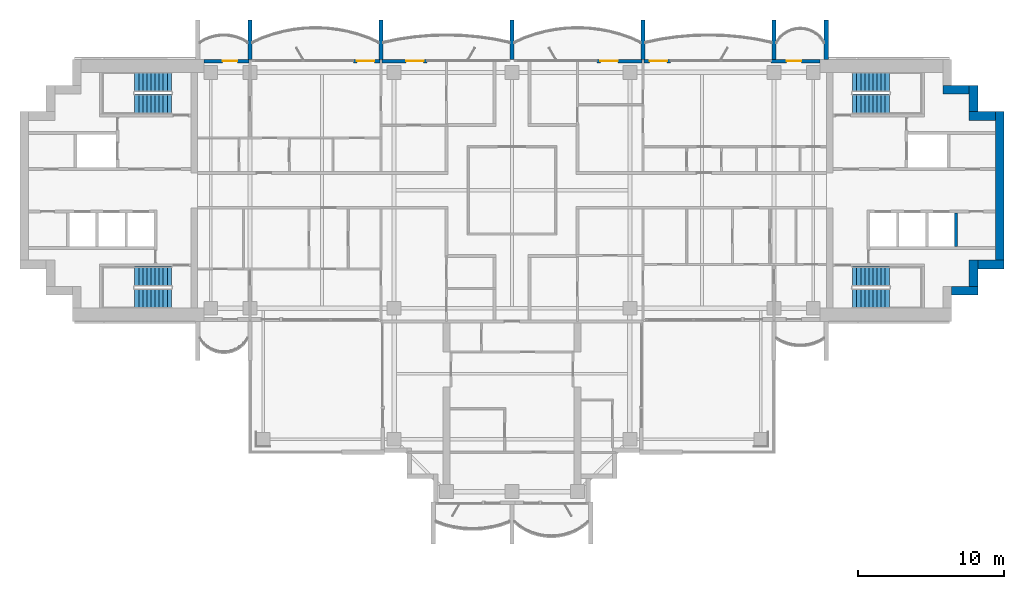
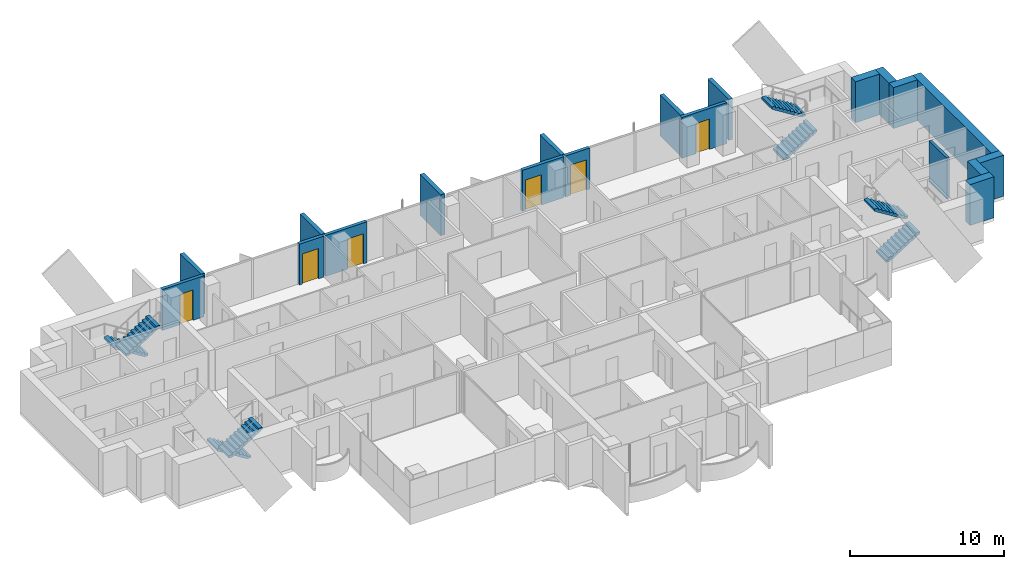
# One storey, part 13 of 17: 20 walls, 8 stair flights, 6 doors, 6 openings, 4 elements without a shape of their own.
"""IFC4 building model written with IfcOpenShell, lengths in metres."""

from ifc_helpers import new_model, si_unit, direction, frame, frame_2d, origin, place, context, subcontext, project, spatial, polyline, rectangle, outline, extrude, material, layer, layer_set, type_object, element, fill, aggregate, save


model = new_model("IFC4")

# Units and contexts
model_context = context("Model", 3, precision=1e-05, world=origin(), true_north=direction((0.0, 1.0)))
body_context = subcontext(model_context, "Body", "Model", "MODEL_VIEW")
ifc_project = project(units=[si_unit("LENGTHUNIT", "METRE"), si_unit("AREAUNIT", "SQUARE_METRE"), si_unit("VOLUMEUNIT", "CUBIC_METRE"), si_unit("PLANEANGLEUNIT", "RADIAN"), si_unit("MASSUNIT", "GRAM", prefix="KILO")], contexts=[model_context])

# Site, building, storey
site_placement = place(None, origin())
site = spatial("IfcSite", under=ifc_project, at=site_placement, CompositionType="ELEMENT")
building_placement = place(site_placement, origin())
building = spatial("IfcBuilding", under=site, at=building_placement, Name="Perihelion Cross Residences", CompositionType="ELEMENT")
storey_placement = place(building_placement, frame((0.0, 0.0, 208.60009765625)))
storey = spatial("IfcBuildingStorey", under=building, at=storey_placement, Name="L52", CompositionType="ELEMENT", Elevation=208.60009765625)

# Wall, opening, door
ifc_material_1 = material(Name="Concrete C30/37, bronze-clad", Category="concrete")
ifc_layer_1 = layer(ifc_material_1, 0.25)
ifc_layer_set_1 = layer_set([ifc_layer_1], Name="Bronze-clad pier wall 250")
wall_type_1 = type_object("IfcWallType", Name="Bronze-clad pier wall 250", PredefinedType="SOLIDWALL", material=ifc_layer_set_1)
wall_1_placement = place(storey_placement, frame((21.175048828125, 8.875, 0.0), z_axis=(0.0, 0.0, 1.0), x_axis=(-1.0, 0.0, 0.0)))
wall_1 = element("IfcWall", 1, at=wall_1_placement, inside=storey, type_object=wall_type_1, Name="Wall FW1 L52 east side north bay 1 pier", PredefinedType="SOLIDWALL", context=body_context, shape_type="SweptSolid", body=[
    extrude(rectangle(XDim=3.375, YDim=0.25, at=frame_2d((1.6875, 0.0))), origin(), (0.0, 0.0, 1.0), 3.25),
])
opening_1_placement = place(wall_1_placement, frame((1.300048828125, 0.0, 0.0)))
opening_1 = element("IfcOpeningElement", 2, at=opening_1_placement, cuts=wall_1, Name="Opening L52.E01", PredefinedType="OPENING", context=body_context, shape_type="SweptSolid", body=[
    extrude(rectangle(XDim=1.0, YDim=2.39990234375, at=frame_2d((0.5, 1.199951171875))), frame((0.0, 0.135009765625, 0.0), z_axis=(0.0, -1.0, 0.0), x_axis=(1.0, 0.0, 0.0)), (0.0, 0.0, 1.0), 0.27001953125),
])
ifc_material_2 = material(Name="Bronze anodised aluminium, glazed", Category="aluminium")
door_type_1 = type_object("IfcDoorType", Name="Balcony door 1000 x 2400", OperationType="NOTDEFINED", PredefinedType="DOOR", material=ifc_material_2)
door_1_placement = place(opening_1_placement, origin())
door_1 = element("IfcDoor", 3, at=door_1_placement, inside=storey, type_object=door_type_1, Name="Door L52.E01 east side north bay 1", OperationType="SINGLE_SWING_LEFT", OverallHeight=2.39990234375, OverallWidth=1.0, PredefinedType="DOOR", context=body_context, shape_type="SweptSolid", body=[
    extrude(rectangle(XDim=1.0, YDim=2.39990234375, at=frame_2d((0.5, 1.199951171875))), frame((0.0, 0.02490234375, 0.0), z_axis=(0.0, -1.0, 0.0), x_axis=(1.0, 0.0, 0.0)), (0.0, 0.0, 1.0), 0.050048828125),
])
fill(opening_1, door_1)

wall_2_placement = place(storey_placement, frame((10.89990234375, 8.875, 0.0), z_axis=(0.0, 0.0, 1.0), x_axis=(-1.0, 0.0, 0.0)))
wall_2 = element("IfcWall", 4, at=wall_2_placement, inside=storey, type_object=wall_type_1, Name="Wall FW1 L52 east side north bay 2 pier", PredefinedType="SOLIDWALL", context=body_context, shape_type="SweptSolid", body=[
    extrude(rectangle(XDim=1.83984375, YDim=0.25, at=frame_2d((0.919921875, 0.0))), origin(), (0.0, 0.0, 1.0), 3.25),
])
opening_2_placement = place(wall_2_placement, frame((0.25, 0.0, 0.0)))
opening_2 = element("IfcOpeningElement", 5, at=opening_2_placement, cuts=wall_2, Name="Opening L52.E02", PredefinedType="OPENING", context=body_context, shape_type="SweptSolid", body=[
    extrude(rectangle(XDim=1.199951171875, YDim=2.39990234375, at=frame_2d((0.60009765625, 1.199951171875))), frame((0.0, 0.135009765625, 0.0), z_axis=(0.0, -1.0, 0.0), x_axis=(1.0, 0.0, 0.0)), (0.0, 0.0, 1.0), 0.27001953125),
])
ifc_material_3 = material(Name="Bronze anodised aluminium, glazed", Category="aluminium")
door_type_2 = type_object("IfcDoorType", Name="Balcony door 1200 x 2400", OperationType="NOTDEFINED", PredefinedType="DOOR", material=ifc_material_3)
door_2_placement = place(opening_2_placement, origin())
door_2 = element("IfcDoor", 6, at=door_2_placement, inside=storey, type_object=door_type_2, Name="Door L52.E02 east side north bay 2", OperationType="SINGLE_SWING_RIGHT", OverallHeight=2.39990234375, OverallWidth=1.199951171875, PredefinedType="DOOR", context=body_context, shape_type="SweptSolid", body=[
    extrude(rectangle(XDim=1.199951171875, YDim=2.39990234375, at=frame_2d((0.60009765625, 1.199951171875))), frame((0.0, 0.02490234375, 0.0), z_axis=(0.0, -1.0, 0.0), x_axis=(1.0, 0.0, 0.0)), (0.0, 0.0, 1.0), 0.050048828125),
])
fill(opening_2, door_2)

wall_3_placement = place(storey_placement, frame((8.93994140625, 8.875, 0.0), z_axis=(0.0, 0.0, 1.0), x_axis=(-1.0, 0.0, 0.0)))
wall_3 = element("IfcWall", 7, at=wall_3_placement, inside=storey, type_object=wall_type_1, Name="Wall FW1 L52 north side east bay 1 pier", PredefinedType="SOLIDWALL", context=body_context, shape_type="SweptSolid", body=[
    extrude(rectangle(XDim=3.114990234375, YDim=0.25, at=frame_2d((1.5576171875, 0.0))), origin(), (0.0, 0.0, 1.0), 3.25),
])
opening_3_placement = place(wall_3_placement, frame((1.6650390625, 0.0, 0.0)))
opening_3 = element("IfcOpeningElement", 8, at=opening_3_placement, cuts=wall_3, Name="Opening L52.E03", PredefinedType="OPENING", context=body_context, shape_type="SweptSolid", body=[
    extrude(rectangle(XDim=1.199951171875, YDim=2.39990234375, at=frame_2d((0.60009765625, 1.199951171875))), frame((0.0, 0.135009765625, 0.0), z_axis=(0.0, -1.0, 0.0), x_axis=(1.0, 0.0, 0.0)), (0.0, 0.0, 1.0), 0.27001953125),
])
door_3_placement = place(opening_3_placement, origin())
door_3 = element("IfcDoor", 9, at=door_3_placement, inside=storey, type_object=door_type_2, Name="Door L52.E03 north side east bay 1", OperationType="SINGLE_SWING_LEFT", OverallHeight=2.39990234375, OverallWidth=1.199951171875, PredefinedType="DOOR", context=body_context, shape_type="SweptSolid", body=[
    extrude(rectangle(XDim=1.199951171875, YDim=2.39990234375, at=frame_2d((0.60009765625, 1.199951171875))), frame((0.0, 0.02490234375, 0.0), z_axis=(0.0, -1.0, 0.0), x_axis=(1.0, 0.0, 0.0)), (0.0, 0.0, 1.0), 0.050048828125),
])
fill(opening_3, door_3)

wall_4_placement = place(storey_placement, frame((-5.824951171875, 8.875, 0.0), z_axis=(0.0, 0.0, 1.0), x_axis=(-1.0, 0.0, 0.0)))
wall_4 = element("IfcWall", 10, at=wall_4_placement, inside=storey, type_object=wall_type_1, Name="Wall FW1 L52 north side east bay 2 pier", PredefinedType="SOLIDWALL", context=body_context, shape_type="SweptSolid", body=[
    extrude(rectangle(XDim=3.114990234375, YDim=0.25, at=frame_2d((1.5576171875, 0.0))), origin(), (0.0, 0.0, 1.0), 3.25),
])
opening_4_placement = place(wall_4_placement, frame((0.25, 0.0, 0.0)))
opening_4 = element("IfcOpeningElement", 11, at=opening_4_placement, cuts=wall_4, Name="Opening L52.E04", PredefinedType="OPENING", context=body_context, shape_type="SweptSolid", body=[
    extrude(rectangle(XDim=1.199951171875, YDim=2.39990234375, at=frame_2d((0.60009765625, 1.199951171875))), frame((0.0, 0.135009765625, 0.0), z_axis=(0.0, -1.0, 0.0), x_axis=(1.0, 0.0, 0.0)), (0.0, 0.0, 1.0), 0.27001953125),
])
door_4_placement = place(opening_4_placement, origin())
door_4 = element("IfcDoor", 12, at=door_4_placement, inside=storey, type_object=door_type_2, Name="Door L52.E04 north side east bay 2", OperationType="SINGLE_SWING_RIGHT", OverallHeight=2.39990234375, OverallWidth=1.199951171875, PredefinedType="DOOR", context=body_context, shape_type="SweptSolid", body=[
    extrude(rectangle(XDim=1.199951171875, YDim=2.39990234375, at=frame_2d((0.60009765625, 1.199951171875))), frame((0.0, 0.02490234375, 0.0), z_axis=(0.0, -1.0, 0.0), x_axis=(1.0, 0.0, 0.0)), (0.0, 0.0, 1.0), 0.050048828125),
])
fill(opening_4, door_4)

wall_5_placement = place(storey_placement, frame((-9.06005859375, 8.875, 0.0), z_axis=(0.0, 0.0, 1.0), x_axis=(-1.0, 0.0, 0.0)))
wall_5 = element("IfcWall", 13, at=wall_5_placement, inside=storey, type_object=wall_type_1, Name="Wall FW1 L52 west side north bay 1 pier", PredefinedType="SOLIDWALL", context=body_context, shape_type="SweptSolid", body=[
    extrude(rectangle(XDim=1.83984375, YDim=0.25, at=frame_2d((0.919921875, 0.0))), origin(), (0.0, 0.0, 1.0), 3.25),
])
opening_5_placement = place(wall_5_placement, frame((0.389892578125, 0.0, 0.0)))
opening_5 = element("IfcOpeningElement", 14, at=opening_5_placement, cuts=wall_5, Name="Opening L52.E05", PredefinedType="OPENING", context=body_context, shape_type="SweptSolid", body=[
    extrude(rectangle(XDim=1.199951171875, YDim=2.39990234375, at=frame_2d((0.60009765625, 1.199951171875))), frame((0.0, 0.135009765625, 0.0), z_axis=(0.0, -1.0, 0.0), x_axis=(1.0, 0.0, 0.0)), (0.0, 0.0, 1.0), 0.27001953125),
])
door_5_placement = place(opening_5_placement, origin())
door_5 = element("IfcDoor", 15, at=door_5_placement, inside=storey, type_object=door_type_2, Name="Door L52.E05 west side north bay 1", OperationType="SINGLE_SWING_LEFT", OverallHeight=2.39990234375, OverallWidth=1.199951171875, PredefinedType="DOOR", context=body_context, shape_type="SweptSolid", body=[
    extrude(rectangle(XDim=1.199951171875, YDim=2.39990234375, at=frame_2d((0.60009765625, 1.199951171875))), frame((0.0, 0.02490234375, 0.0), z_axis=(0.0, -1.0, 0.0), x_axis=(1.0, 0.0, 0.0)), (0.0, 0.0, 1.0), 0.050048828125),
])
fill(opening_5, door_5)

wall_6_placement = place(storey_placement, frame((-18.06005859375, 8.875, 0.0), z_axis=(0.0, 0.0, 1.0), x_axis=(-1.0, 0.0, 0.0)))
wall_6 = element("IfcWall", 16, at=wall_6_placement, inside=storey, type_object=wall_type_1, Name="Wall FW1 L52 west side north bay 2 pier", PredefinedType="SOLIDWALL", context=body_context, shape_type="SweptSolid", body=[
    extrude(rectangle(XDim=3.114990234375, YDim=0.25, at=frame_2d((1.5576171875, 0.0))), origin(), (0.0, 0.0, 1.0), 3.25),
])
opening_6_placement = place(wall_6_placement, frame((0.81494140625, 0.0, 0.0)))
opening_6 = element("IfcOpeningElement", 17, at=opening_6_placement, cuts=wall_6, Name="Opening L52.E06", PredefinedType="OPENING", context=body_context, shape_type="SweptSolid", body=[
    extrude(rectangle(XDim=1.0, YDim=2.39990234375, at=frame_2d((0.5, 1.199951171875))), frame((0.0, 0.135009765625, 0.0), z_axis=(0.0, -1.0, 0.0), x_axis=(1.0, 0.0, 0.0)), (0.0, 0.0, 1.0), 0.27001953125),
])
door_6_placement = place(opening_6_placement, origin())
door_6 = element("IfcDoor", 18, at=door_6_placement, inside=storey, type_object=door_type_1, Name="Door L52.E06 west side north bay 2", OperationType="SINGLE_SWING_RIGHT", OverallHeight=2.39990234375, OverallWidth=1.0, PredefinedType="DOOR", context=body_context, shape_type="SweptSolid", body=[
    extrude(rectangle(XDim=1.0, YDim=2.39990234375, at=frame_2d((0.5, 1.199951171875))), frame((0.0, 0.02490234375, 0.0), z_axis=(0.0, -1.0, 0.0), x_axis=(1.0, 0.0, 0.0)), (0.0, 0.0, 1.0), 0.050048828125),
])
fill(opening_6, door_6)

# Walls
ifc_material_4 = material(Name="Concrete C60/75", Category="concrete")
ifc_layer_2 = layer(ifc_material_4, 0.60009765625)
ifc_layer_set_2 = layer_set([ifc_layer_2], Name="Core wall, outer 600")
wall_type_2 = type_object("IfcWallType", Name="Core wall, outer 600", PredefinedType="SHEAR", material=ifc_layer_set_2)
for number, where, z_axis, x_axis, name in (
    (19, (30.199951171875, -6.89990234375, 0.0), (0.0, 0.0, 1.0), (1.0, 0.0, 0.0), "East core core wall, outer"),
    (20, (31.699951171875, -6.60009765625, 0.0), (0.0, 0.0, 1.0), (0.0, 1.0, 0.0), "East core core wall, outer"),
    (21, (32.0, -5.10009765625, 0.0), (0.0, 0.0, 1.0), (1.0, 0.0, 0.0), "East core core wall, outer"),
):
    element("IfcWall", number, at=place(storey_placement, frame(where, z_axis=z_axis, x_axis=x_axis)), inside=storey, type_object=wall_type_2, Name=name, PredefinedType="SHEAR", context=body_context, shape_type="SweptSolid", body=[
        extrude(rectangle(XDim=1.800048828125, YDim=0.60009765625, at=frame_2d((0.89990234375, 0.0))), origin(), (0.0, 0.0, 1.0), 3.25),
    ])
wall_7_placement = place(storey_placement, frame((33.5, -4.800048828125, 0.0), z_axis=(0.0, 0.0, 1.0), x_axis=(0.0, 1.0, 0.0)))
element("IfcWall", 22, at=wall_7_placement, inside=storey, type_object=wall_type_2, Name="East core core wall, outer", PredefinedType="SHEAR", context=body_context, shape_type="SweptSolid", body=[
    extrude(rectangle(XDim=10.199951171875, YDim=0.60009765625, at=frame_2d((5.10009765625, 0.0))), origin(), (0.0, 0.0, 1.0), 3.25),
])
for number, where, z_axis, x_axis, name in (
    (23, (31.39990234375, 5.10009765625, 0.0), (0.0, 0.0, 1.0), (1.0, 0.0, 0.0), "East core core wall, outer"),
    (24, (31.699951171875, 5.39990234375, 0.0), (0.0, 0.0, 1.0), (0.0, 1.0, 0.0), "East core core wall, outer"),
):
    element("IfcWall", number, at=place(storey_placement, frame(where, z_axis=z_axis, x_axis=x_axis)), inside=storey, type_object=wall_type_2, Name=name, PredefinedType="SHEAR", context=body_context, shape_type="SweptSolid", body=[
        extrude(rectangle(XDim=1.800048828125, YDim=0.60009765625, at=frame_2d((0.89990234375, 0.0))), origin(), (0.0, 0.0, 1.0), 3.25),
    ])
wall_8_placement = place(storey_placement, frame((29.60009765625, 6.89990234375, 0.0), z_axis=(0.0, 0.0, 1.0), x_axis=(1.0, 0.0, 0.0)))
element("IfcWall", 25, at=wall_8_placement, inside=storey, type_object=wall_type_2, Name="East core core wall, outer", PredefinedType="SHEAR", context=body_context, shape_type="SweptSolid", body=[
    extrude(rectangle(XDim=1.7998046875, YDim=0.60009765625, at=frame_2d((0.89990234375, 0.0))), origin(), (0.0, 0.0, 1.0), 3.25),
])
ifc_material_5 = material(Name="Precast concrete C50/60", Category="concrete")
ifc_layer_3 = layer(ifc_material_5, 0.300048828125)
ifc_layer_set_3 = layer_set([ifc_layer_3], Name="Precast concrete C50/60 blade wall 300")
wall_type_3 = type_object("IfcWallType", Name="Precast concrete C50/60 blade wall 300", PredefinedType="SOLIDWALL", material=ifc_layer_set_3)
for number, where, z_axis, x_axis, name in (
    (26, (-18.0, 9.0, 0.0), (0.0, 0.0, 1.0), (0.0, 1.0, 0.0), "Wall BL1 L52 no. 2"),
    (27, (-9.0, 9.0, 0.0), (0.0, 0.0, 1.0), (0.0, 1.0, 0.0), "Wall BL1 L52 no. 7"),
    (28, (0.0, 9.0, 0.0), (0.0, 0.0, 1.0), (0.0, 1.0, 0.0), "Wall BL1 L52 no. 9"),
    (29, (9.0, 9.0, 0.0), (0.0, 0.0, 1.0), (0.0, 1.0, 0.0), "Wall BL1 L52 no. 16"),
    (30, (18.0, 9.0, 0.0), (0.0, 0.0, 1.0), (0.0, 1.0, 0.0), "Wall BL1 L52 no. 11"),
    (31, (21.60009765625, 9.0, 0.0), (0.0, 0.0, 1.0), (0.0, 1.0, 0.0), "Wall BL1 L52 no. 13"),
):
    element("IfcWall", number, at=place(storey_placement, frame(where, z_axis=z_axis, x_axis=x_axis)), inside=storey, type_object=wall_type_3, Name=name, PredefinedType="SOLIDWALL", context=body_context, shape_type="SweptSolid", body=[
        extrude(rectangle(XDim=2.699951171875, YDim=0.300048828125, at=frame_2d((1.35009765625, 0.0))), origin(), (0.0, 0.0, 1.0), 3.25),
    ])
ifc_material_6 = material(Name="Concrete C50/60", Category="concrete")
ifc_layer_4 = layer(ifc_material_6, 0.199951171875)
ifc_layer_set_4 = layer_set([ifc_layer_4], Name="Shaft wall 200")
wall_type_4 = type_object("IfcWallType", Name="Shaft wall 200", PredefinedType="SOLIDWALL", material=ifc_layer_set_4)
wall_9_placement = place(storey_placement, frame((30.5, -3.85009765625, 0.0), z_axis=(0.0, 0.0, 1.0), x_axis=(0.0, 1.0, 0.0)))
element("IfcWall", 32, at=wall_9_placement, inside=storey, type_object=wall_type_4, Name="East core shaft wall", PredefinedType="SOLIDWALL", context=body_context, shape_type="SweptSolid", body=[
    extrude(rectangle(XDim=2.300048828125, YDim=0.199951171875, at=frame_2d((1.14990234375, 0.0))), origin(), (0.0, 0.0, 1.0), 3.25),
])

# Stair, stair flights
ifc_material_7 = material(Name="Concrete C40/50", Category="concrete")
stair_type = type_object("IfcStairType", Name="Exit stair, half-turn", PredefinedType="HALF_TURN_STAIR", material=ifc_material_7)
stair_1_placement = place(storey_placement, origin())
stair_1 = element("IfcStair", 33, at=stair_1_placement, inside=storey, type_object=stair_type, Name="L52 East core exit stair 1", PredefinedType="HALF_TURN_STAIR")
ifc_material_8 = material(Name="Concrete C40/50", Category="concrete")
stair_flight_type = type_object("IfcStairFlightType", Name="Exit stair flight", PredefinedType="STRAIGHT", material=ifc_material_8)
stair_flight_1_placement = place(storey_placement, frame((23.39990234375, 5.925048828125, 0.0), z_axis=(0.0, 0.0, 1.0), x_axis=(1.0, 0.0, 0.0)))
stair_flight_1 = element("IfcStairFlight", 34, at=stair_flight_1_placement, type_object=stair_flight_type, Name="ST-E1 flight 1", NumberOfRisers=10, NumberOfTreads=9, PredefinedType="STRAIGHT", RiserHeight=0.175, TreadLength=0.28, context=body_context, shape_type="SweptSolid", body=[
    extrude(outline(polyline([(0.0, 0.0), (0.0, 0.175048828125), (0.280029296875, 0.175048828125), (0.280029296875, 0.35009765625), (0.56005859375, 0.35009765625), (0.56005859375, 0.52490234375), (0.840087890625, 0.52490234375), (0.840087890625, 0.699951171875), (1.1201171875, 0.699951171875), (1.1201171875, 0.875), (1.39990234375, 0.875), (1.39990234375, 1.050048828125), (1.679931640625, 1.050048828125), (1.679931640625, 1.22509765625), (1.9599609375, 1.22509765625), (1.9599609375, 1.39990234375), (2.239990234375, 1.39990234375), (2.239990234375, 1.574951171875), (2.52001953125, 1.574951171875), (2.52001953125, 1.75), (2.52001953125, 1.398193359375), (0.28271484375, 0.0), (0.0, 0.0)])), frame((0.0, 0.675048828125, 0.0), z_axis=(0.0, -1.0, 0.0), x_axis=(1.0, 0.0, 0.0)), (0.0, 0.0, 1.0), 1.35009765625),
])
stair_flight_2_placement = place(storey_placement, frame((25.919921875, 7.425048828125, 1.75), z_axis=(0.0, 0.0, 1.0), x_axis=(-1.0, 0.0, 0.0)))
stair_flight_2 = element("IfcStairFlight", 35, at=stair_flight_2_placement, type_object=stair_flight_type, Name="ST-E1 flight 2", NumberOfRisers=10, NumberOfTreads=9, PredefinedType="STRAIGHT", RiserHeight=0.175, TreadLength=0.28, context=body_context, shape_type="SweptSolid", body=[
    extrude(outline(polyline([(0.0, 0.0), (0.0, 0.175048828125), (0.280029296875, 0.175048828125), (0.280029296875, 0.35009765625), (0.56005859375, 0.35009765625), (0.56005859375, 0.52490234375), (0.840087890625, 0.52490234375), (0.840087890625, 0.699951171875), (1.1201171875, 0.699951171875), (1.1201171875, 0.875), (1.39990234375, 0.875), (1.39990234375, 1.050048828125), (1.679931640625, 1.050048828125), (1.679931640625, 1.22509765625), (1.9599609375, 1.22509765625), (1.9599609375, 1.39990234375), (2.239990234375, 1.39990234375), (2.239990234375, 1.574951171875), (2.52001953125, 1.574951171875), (2.52001953125, 1.75), (2.52001953125, 1.398193359375), (0.28271484375, 0.0), (0.0, 0.0)])), frame((0.0, 0.675048828125, 0.0), z_axis=(0.0, -1.0, 0.0), x_axis=(1.0, 0.0, 0.0)), (0.0, 0.0, 1.0), 1.35009765625),
])
aggregate(stair_1, [stair_flight_1, stair_flight_2])

stair_2_placement = place(storey_placement, origin())
stair_2 = element("IfcStair", 36, at=stair_2_placement, inside=storey, type_object=stair_type, Name="L52 East core exit stair 2", PredefinedType="HALF_TURN_STAIR")
stair_flight_3_placement = place(storey_placement, frame((23.39990234375, -7.425048828125, 0.0), z_axis=(0.0, 0.0, 1.0), x_axis=(1.0, 0.0, 0.0)))
stair_flight_3 = element("IfcStairFlight", 37, at=stair_flight_3_placement, type_object=stair_flight_type, Name="ST-E2 flight 1", NumberOfRisers=10, NumberOfTreads=9, PredefinedType="STRAIGHT", RiserHeight=0.175, TreadLength=0.28, context=body_context, shape_type="SweptSolid", body=[
    extrude(outline(polyline([(0.0, 0.0), (0.0, 0.175048828125), (0.280029296875, 0.175048828125), (0.280029296875, 0.35009765625), (0.56005859375, 0.35009765625), (0.56005859375, 0.52490234375), (0.840087890625, 0.52490234375), (0.840087890625, 0.699951171875), (1.1201171875, 0.699951171875), (1.1201171875, 0.875), (1.39990234375, 0.875), (1.39990234375, 1.050048828125), (1.679931640625, 1.050048828125), (1.679931640625, 1.22509765625), (1.9599609375, 1.22509765625), (1.9599609375, 1.39990234375), (2.239990234375, 1.39990234375), (2.239990234375, 1.574951171875), (2.52001953125, 1.574951171875), (2.52001953125, 1.75), (2.52001953125, 1.398193359375), (0.28271484375, 0.0), (0.0, 0.0)])), frame((0.0, 0.675048828125, 0.0), z_axis=(0.0, -1.0, 0.0), x_axis=(1.0, 0.0, 0.0)), (0.0, 0.0, 1.0), 1.35009765625),
])
stair_flight_4_placement = place(storey_placement, frame((25.919921875, -5.925048828125, 1.75), z_axis=(0.0, 0.0, 1.0), x_axis=(-1.0, 0.0, 0.0)))
stair_flight_4 = element("IfcStairFlight", 38, at=stair_flight_4_placement, type_object=stair_flight_type, Name="ST-E2 flight 2", NumberOfRisers=10, NumberOfTreads=9, PredefinedType="STRAIGHT", RiserHeight=0.175, TreadLength=0.28, context=body_context, shape_type="SweptSolid", body=[
    extrude(outline(polyline([(0.0, 0.0), (0.0, 0.175048828125), (0.280029296875, 0.175048828125), (0.280029296875, 0.35009765625), (0.56005859375, 0.35009765625), (0.56005859375, 0.52490234375), (0.840087890625, 0.52490234375), (0.840087890625, 0.699951171875), (1.1201171875, 0.699951171875), (1.1201171875, 0.875), (1.39990234375, 0.875), (1.39990234375, 1.050048828125), (1.679931640625, 1.050048828125), (1.679931640625, 1.22509765625), (1.9599609375, 1.22509765625), (1.9599609375, 1.39990234375), (2.239990234375, 1.39990234375), (2.239990234375, 1.574951171875), (2.52001953125, 1.574951171875), (2.52001953125, 1.75), (2.52001953125, 1.398193359375), (0.28271484375, 0.0), (0.0, 0.0)])), frame((0.0, 0.675048828125, 0.0), z_axis=(0.0, -1.0, 0.0), x_axis=(1.0, 0.0, 0.0)), (0.0, 0.0, 1.0), 1.35009765625),
])
aggregate(stair_2, [stair_flight_3, stair_flight_4])

stair_3_placement = place(storey_placement, origin())
stair_3 = element("IfcStair", 39, at=stair_3_placement, inside=storey, type_object=stair_type, Name="L52 West core exit stair 1", PredefinedType="HALF_TURN_STAIR")
stair_flight_5_placement = place(storey_placement, frame((-23.39990234375, 7.425048828125, 0.0), z_axis=(0.0, 0.0, 1.0), x_axis=(-1.0, 0.0, 0.0)))
stair_flight_5 = element("IfcStairFlight", 40, at=stair_flight_5_placement, type_object=stair_flight_type, Name="ST-W1 flight 1", NumberOfRisers=10, NumberOfTreads=9, PredefinedType="STRAIGHT", RiserHeight=0.175, TreadLength=0.28, context=body_context, shape_type="SweptSolid", body=[
    extrude(outline(polyline([(0.0, 0.0), (0.0, 0.175048828125), (0.280029296875, 0.175048828125), (0.280029296875, 0.35009765625), (0.56005859375, 0.35009765625), (0.56005859375, 0.52490234375), (0.840087890625, 0.52490234375), (0.840087890625, 0.699951171875), (1.1201171875, 0.699951171875), (1.1201171875, 0.875), (1.39990234375, 0.875), (1.39990234375, 1.050048828125), (1.679931640625, 1.050048828125), (1.679931640625, 1.22509765625), (1.9599609375, 1.22509765625), (1.9599609375, 1.39990234375), (2.239990234375, 1.39990234375), (2.239990234375, 1.574951171875), (2.52001953125, 1.574951171875), (2.52001953125, 1.75), (2.52001953125, 1.398193359375), (0.28271484375, 0.0), (0.0, 0.0)])), frame((0.0, 0.675048828125, 0.0), z_axis=(0.0, -1.0, 0.0), x_axis=(1.0, 0.0, 0.0)), (0.0, 0.0, 1.0), 1.35009765625),
])
stair_flight_6_placement = place(storey_placement, frame((-25.919921875, 5.925048828125, 1.75), z_axis=(0.0, 0.0, 1.0), x_axis=(1.0, 0.0, 0.0)))
stair_flight_6 = element("IfcStairFlight", 41, at=stair_flight_6_placement, type_object=stair_flight_type, Name="ST-W1 flight 2", NumberOfRisers=10, NumberOfTreads=9, PredefinedType="STRAIGHT", RiserHeight=0.175, TreadLength=0.28, context=body_context, shape_type="SweptSolid", body=[
    extrude(outline(polyline([(0.0, 0.0), (0.0, 0.175048828125), (0.280029296875, 0.175048828125), (0.280029296875, 0.35009765625), (0.56005859375, 0.35009765625), (0.56005859375, 0.52490234375), (0.840087890625, 0.52490234375), (0.840087890625, 0.699951171875), (1.1201171875, 0.699951171875), (1.1201171875, 0.875), (1.39990234375, 0.875), (1.39990234375, 1.050048828125), (1.679931640625, 1.050048828125), (1.679931640625, 1.22509765625), (1.9599609375, 1.22509765625), (1.9599609375, 1.39990234375), (2.239990234375, 1.39990234375), (2.239990234375, 1.574951171875), (2.52001953125, 1.574951171875), (2.52001953125, 1.75), (2.52001953125, 1.398193359375), (0.28271484375, 0.0), (0.0, 0.0)])), frame((0.0, 0.675048828125, 0.0), z_axis=(0.0, -1.0, 0.0), x_axis=(1.0, 0.0, 0.0)), (0.0, 0.0, 1.0), 1.35009765625),
])
aggregate(stair_3, [stair_flight_5, stair_flight_6])

stair_4_placement = place(storey_placement, origin())
stair_4 = element("IfcStair", 42, at=stair_4_placement, inside=storey, type_object=stair_type, Name="L52 West core exit stair 2", PredefinedType="HALF_TURN_STAIR")
stair_flight_7_placement = place(storey_placement, frame((-23.39990234375, -5.925048828125, 0.0), z_axis=(0.0, 0.0, 1.0), x_axis=(-1.0, 0.0, 0.0)))
stair_flight_7 = element("IfcStairFlight", 43, at=stair_flight_7_placement, type_object=stair_flight_type, Name="ST-W2 flight 1", NumberOfRisers=10, NumberOfTreads=9, PredefinedType="STRAIGHT", RiserHeight=0.175, TreadLength=0.28, context=body_context, shape_type="SweptSolid", body=[
    extrude(outline(polyline([(0.0, 0.0), (0.0, 0.175048828125), (0.280029296875, 0.175048828125), (0.280029296875, 0.35009765625), (0.56005859375, 0.35009765625), (0.56005859375, 0.52490234375), (0.840087890625, 0.52490234375), (0.840087890625, 0.699951171875), (1.1201171875, 0.699951171875), (1.1201171875, 0.875), (1.39990234375, 0.875), (1.39990234375, 1.050048828125), (1.679931640625, 1.050048828125), (1.679931640625, 1.22509765625), (1.9599609375, 1.22509765625), (1.9599609375, 1.39990234375), (2.239990234375, 1.39990234375), (2.239990234375, 1.574951171875), (2.52001953125, 1.574951171875), (2.52001953125, 1.75), (2.52001953125, 1.398193359375), (0.28271484375, 0.0), (0.0, 0.0)])), frame((0.0, 0.675048828125, 0.0), z_axis=(0.0, -1.0, 0.0), x_axis=(1.0, 0.0, 0.0)), (0.0, 0.0, 1.0), 1.35009765625),
])
stair_flight_8_placement = place(storey_placement, frame((-25.919921875, -7.425048828125, 1.75), z_axis=(0.0, 0.0, 1.0), x_axis=(1.0, 0.0, 0.0)))
stair_flight_8 = element("IfcStairFlight", 44, at=stair_flight_8_placement, type_object=stair_flight_type, Name="ST-W2 flight 2", NumberOfRisers=10, NumberOfTreads=9, PredefinedType="STRAIGHT", RiserHeight=0.175, TreadLength=0.28, context=body_context, shape_type="SweptSolid", body=[
    extrude(outline(polyline([(0.0, 0.0), (0.0, 0.175048828125), (0.280029296875, 0.175048828125), (0.280029296875, 0.35009765625), (0.56005859375, 0.35009765625), (0.56005859375, 0.52490234375), (0.840087890625, 0.52490234375), (0.840087890625, 0.699951171875), (1.1201171875, 0.699951171875), (1.1201171875, 0.875), (1.39990234375, 0.875), (1.39990234375, 1.050048828125), (1.679931640625, 1.050048828125), (1.679931640625, 1.22509765625), (1.9599609375, 1.22509765625), (1.9599609375, 1.39990234375), (2.239990234375, 1.39990234375), (2.239990234375, 1.574951171875), (2.52001953125, 1.574951171875), (2.52001953125, 1.75), (2.52001953125, 1.398193359375), (0.28271484375, 0.0), (0.0, 0.0)])), frame((0.0, 0.675048828125, 0.0), z_axis=(0.0, -1.0, 0.0), x_axis=(1.0, 0.0, 0.0)), (0.0, 0.0, 1.0), 1.35009765625),
])
aggregate(stair_4, [stair_flight_7, stair_flight_8])

save(model, "model.ifc")
